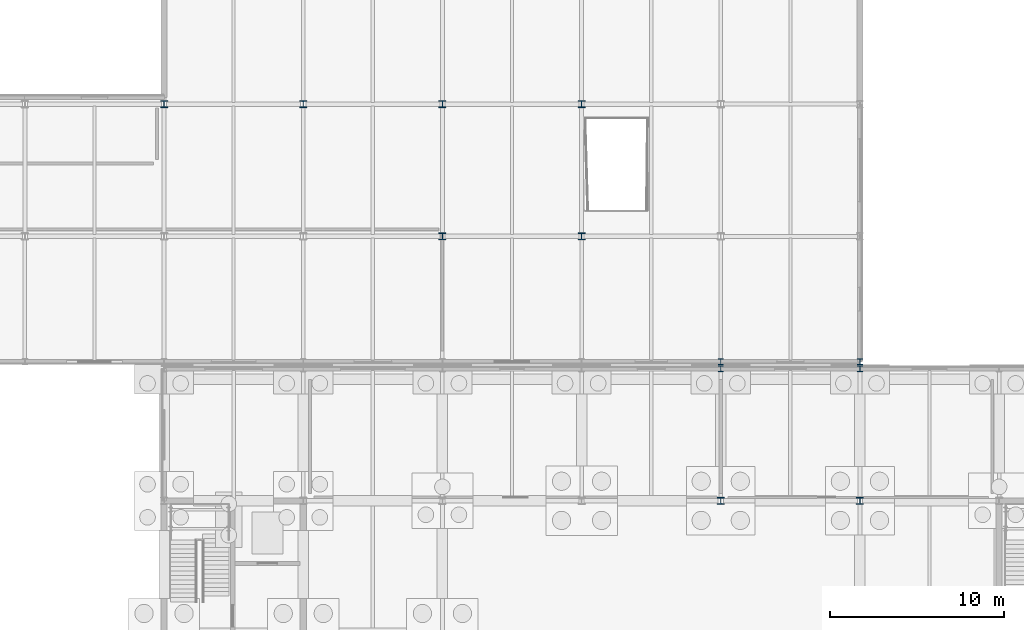
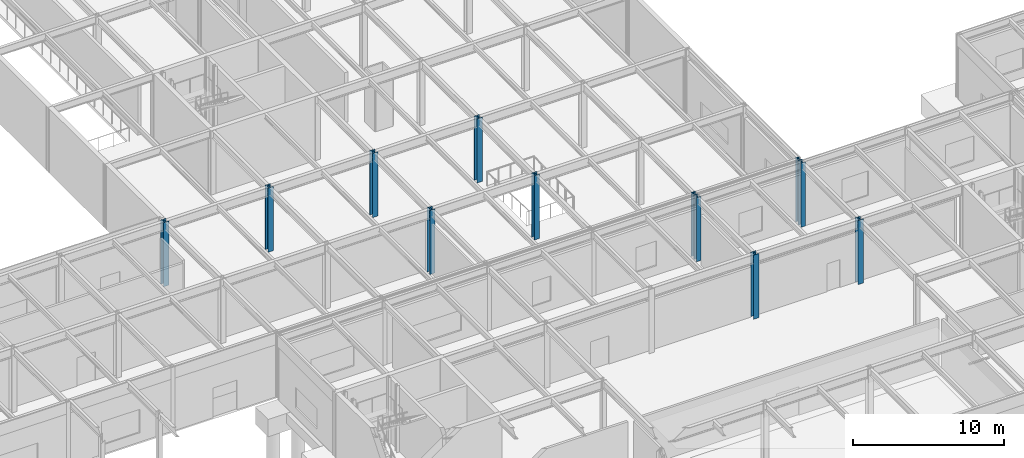
# One storey, part 19 of 62: 12 columns.
"""IFC4 building model written with IfcOpenShell, lengths in metres."""

from ifc_helpers import new_model, si_unit, direction, frame, origin, origin_2d, place, context, subcontext, project, spatial, i_section, extrude, material, material_profile, profile_set, type_object, element, save


model = new_model("IFC4")

# Units and contexts
model_context = context("Model", 3, precision=1e-05, world=origin(), true_north=direction((0.0, 1.0)))
body_context = subcontext(model_context, "Body", "Model", "MODEL_VIEW")
ifc_project = project(units=[si_unit("LENGTHUNIT", "METRE"), si_unit("AREAUNIT", "SQUARE_METRE"), si_unit("VOLUMEUNIT", "CUBIC_METRE"), si_unit("PLANEANGLEUNIT", "RADIAN"), si_unit("MASSUNIT", "GRAM", prefix="KILO")], contexts=[model_context])

# Site, building, storey
site_placement = place(None, origin())
site = spatial("IfcSite", under=ifc_project, at=site_placement, CompositionType="ELEMENT")
building_placement = place(site_placement, origin())
building = spatial("IfcBuilding", under=site, at=building_placement, Name="Zulena Civic Courthouse", CompositionType="ELEMENT")
storey_placement = place(building_placement, origin())
storey = spatial("IfcBuildingStorey", under=building, at=storey_placement, Name="L00", CompositionType="ELEMENT", Elevation=0.0)

# Columns
ifc_material = material(Name="Steel ASTM A992 Grade 50", Category="steel")
ifc_material_profile_1 = material_profile(ifc_material, i_section(OverallWidth=0.31298828125, OverallDepth=0.3330078125, WebThickness=0.01806640625, FlangeThickness=0.0283203125, FilletRadius=0.01513671875, at=origin_2d()), Name="W12X120")
ifc_profile_set_1 = profile_set([ifc_material_profile_1], Name="Steel ASTM A992 Grade 50")
column_type_1 = type_object("IfcColumnType", Name="Col_W12X120", PredefinedType="COLUMN", material=ifc_profile_set_1)
for number, where, z_axis, x_axis, name in (
    (1, (100.0, 45.60009765625, 0.0), (0.0, 0.0, 1.0), (1.0, 0.0, 0.0), "col:V4:L00:100.0:45.6"),
    (2, (108.0, 45.60009765625, 0.0), (0.0, 0.0, 1.0), (1.0, 0.0, 0.0), "col:V4:L00:108.0:45.6"),
    (3, (100.0, 46.0, 0.0), (0.0, 0.0, 1.0), (1.0, 0.0, 0.0), "col:V5:L00:100.0:46.0"),
    (4, (108.0, 46.0, 0.0), (0.0, 0.0, 1.0), (1.0, 0.0, 0.0), "col:V5:L00:108.0:46.0"),
):
    element("IfcColumn", number, at=place(storey_placement, frame(where, z_axis=z_axis, x_axis=x_axis)), inside=storey, type_object=column_type_1, Name=name, PredefinedType="COLUMN", context=body_context, shape_type="SweptSolid", body=[
        extrude(i_section(OverallWidth=0.31298828125, OverallDepth=0.3330078125, WebThickness=0.01806640625, FlangeThickness=0.0283203125, FilletRadius=0.01513671875, at=origin_2d()), origin(), (0.0, 0.0, 1.0), 5.18505859375),
    ])
ifc_material_profile_2 = material_profile(ifc_material, i_section(OverallWidth=0.40087890625, OverallDepth=0.39892578125, WebThickness=0.02490234375, FlangeThickness=0.03955078125, FilletRadius=0.01513671875, at=origin_2d()), Name="W14X211")
ifc_profile_set_2 = profile_set([ifc_material_profile_2], Name="Steel ASTM A992 Grade 50")
column_type_2 = type_object("IfcColumnType", Name="Col_W14X211", PredefinedType="COLUMN", material=ifc_profile_set_2)
for number, where, z_axis, x_axis, name in (
    (5, (100.0, 38.0, 0.0), (0.0, 0.0, 1.0), (1.0, 0.0, 0.0), "col:V4:L00:100.0:38.0"),
    (6, (108.0, 38.0, 0.0), (0.0, 0.0, 1.0), (1.0, 0.0, 0.0), "col:V4:L00:108.0:38.0"),
    (7, (68.0, 60.800048828125, 0.0), (0.0, 0.0, 1.0), (1.0, 0.0, 0.0), "col:V5:L00:68.0:60.8"),
    (8, (76.0, 60.800048828125, 0.0), (0.0, 0.0, 1.0), (1.0, 0.0, 0.0), "col:V5:L00:76.0:60.8"),
    (9, (84.0, 53.199951171875, 0.0), (0.0, 0.0, 1.0), (1.0, 0.0, 0.0), "col:V5:L00:84.0:53.2"),
    (10, (84.0, 60.800048828125, 0.0), (0.0, 0.0, 1.0), (1.0, 0.0, 0.0), "col:V5:L00:84.0:60.8"),
    (11, (92.0, 53.199951171875, 0.0), (0.0, 0.0, 1.0), (1.0, 0.0, 0.0), "col:V5:L00:92.0:53.2"),
    (12, (92.0, 60.800048828125, 0.0), (0.0, 0.0, 1.0), (1.0, 0.0, 0.0), "col:V5:L00:92.0:60.8"),
):
    element("IfcColumn", number, at=place(storey_placement, frame(where, z_axis=z_axis, x_axis=x_axis)), inside=storey, type_object=column_type_2, Name=name, PredefinedType="COLUMN", context=body_context, shape_type="SweptSolid", body=[
        extrude(i_section(OverallWidth=0.40087890625, OverallDepth=0.39892578125, WebThickness=0.02490234375, FlangeThickness=0.03955078125, FilletRadius=0.01513671875, at=origin_2d()), origin(), (0.0, 0.0, 1.0), 5.18505859375),
    ])

save(model, "model.ifc")
